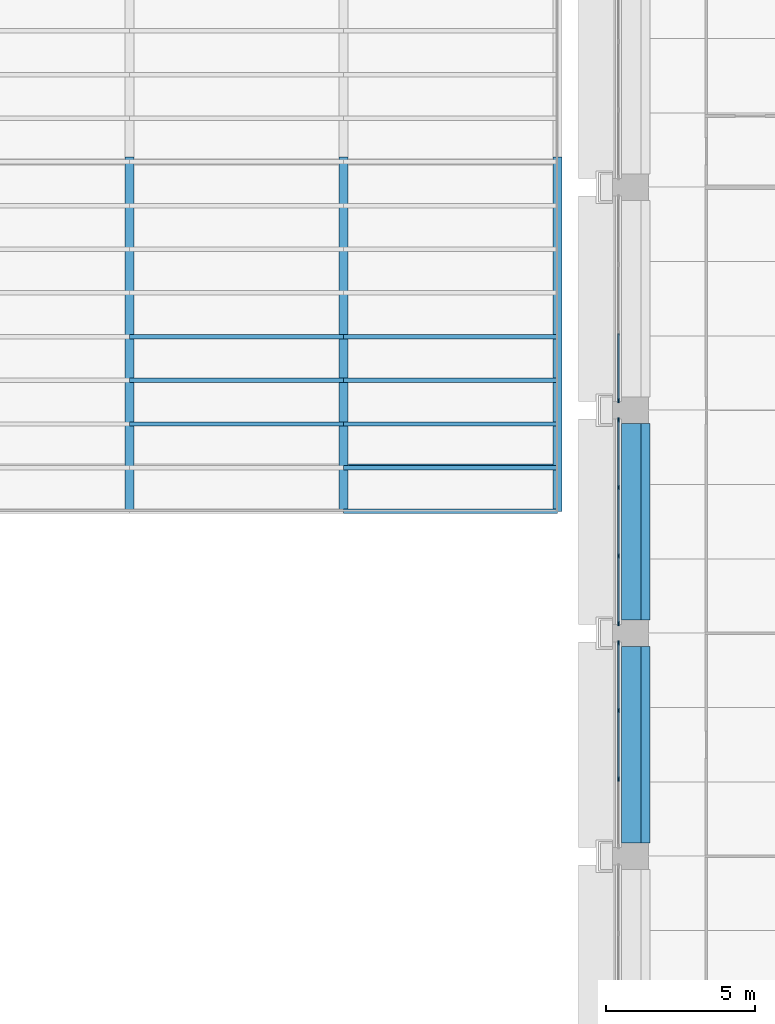
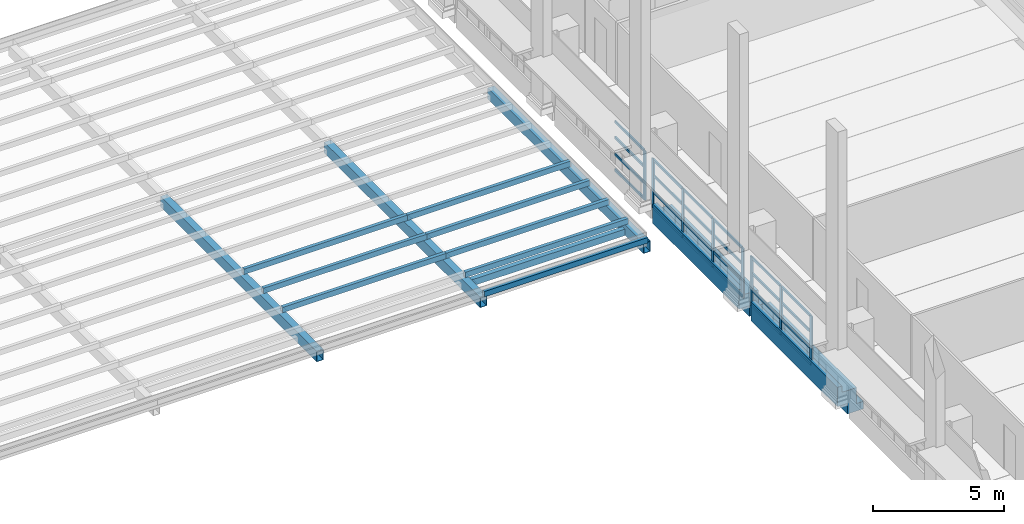
# One storey, part 23 of 67: 40 members, 6 beams, 3 elements without a shape of their own.
"""IFC4 building model written with IfcOpenShell, lengths in metres."""

from ifc_helpers import new_model, si_unit, direction, frame, origin, origin_2d, place, context, subcontext, project, spatial, polyline, rectangle, hollow_rectangle, outline, extrude, material, layer, layer_set, material_profile, profile_set, type_object, element, aggregate, save


model = new_model("IFC4")

# Units and contexts
model_context = context("Model", 3, precision=1e-05, world=origin(), true_north=direction((0.0, 1.0)))
body_context = subcontext(model_context, "Body", "Model", "MODEL_VIEW")
ifc_project = project(units=[si_unit("LENGTHUNIT", "METRE"), si_unit("AREAUNIT", "SQUARE_METRE"), si_unit("VOLUMEUNIT", "CUBIC_METRE"), si_unit("PLANEANGLEUNIT", "RADIAN"), si_unit("MASSUNIT", "GRAM", prefix="KILO")], contexts=[model_context])

# Site, building, storey
site_placement = place(None, origin())
site = spatial("IfcSite", under=ifc_project, at=site_placement, CompositionType="ELEMENT")
building_placement = place(site_placement, origin())
building = spatial("IfcBuilding", under=site, at=building_placement, Name="Cour d'Honneur Mobility Palace", CompositionType="ELEMENT")
storey_placement = place(building_placement, frame((0.0, 0.0, 4.5)))
storey = spatial("IfcBuildingStorey", under=building, at=storey_placement, Name="L01", CompositionType="ELEMENT", Elevation=4.5)

# Beams
ifc_material_1 = material(Name="Steel S355", Category="steel")
ifc_material_profile_1 = material_profile(ifc_material_1, hollow_rectangle(XDim=0.300048828125, YDim=0.5, WallThickness=0.01611328125, at=origin_2d()), Name="RHS 500x300x16")
ifc_profile_set_1 = profile_set([ifc_material_profile_1], Name="Steel S355")
beam_type_1 = type_object("IfcBeamType", Name="Canopy main beam RHS 500x300x16", PredefinedType="BEAM", material=ifc_profile_set_1)
for number, where, z_axis, x_axis, name in (
    (1, (127.89990234375, 89.0, 0.75), (0.0, 1.0, 0.0), (-1.0, 0.0, 0.0), "Canopy main beam FCM-E4.1"),
    (2, (135.10009765625, 89.0, 0.75), (0.0, 1.0, 0.0), (-1.0, 0.0, 0.0), "Canopy main beam FCM-E5.1"),
    (3, (142.300048828125, 89.0, 0.75), (0.0, 1.0, 0.0), (-1.0, 0.0, 0.0), "Canopy main beam FCM-E6.1"),
):
    element("IfcBeam", number, at=place(storey_placement, frame(where, z_axis=z_axis, x_axis=x_axis)), inside=storey, type_object=beam_type_1, Name=name, PredefinedType="BEAM", context=body_context, shape_type="SweptSolid", body=[
        extrude(hollow_rectangle(XDim=0.300048828125, YDim=0.5, WallThickness=0.01611328125, at=origin_2d()), origin(), (0.0, 0.0, 1.0), 11.911865234375),
    ])

# Members
ifc_material_2 = material(Name="Steel S355", Category="steel")
ifc_material_profile_2 = material_profile(ifc_material_2, hollow_rectangle(XDim=0.14990234375, YDim=0.25, WallThickness=0.010009765625, at=origin_2d()), Name="RHS 250x150x10")
ifc_profile_set_2 = profile_set([ifc_material_profile_2], Name="Steel S355")
member_type_1 = type_object("IfcMemberType", Name="Canopy purlin RHS 250x150x10", PredefinedType="PURLIN", material=ifc_profile_set_2)
for number, where, z_axis, x_axis, name in (
    (4, (135.10009765625, 89.0, 1.125), (1.0, 0.0, 0.0), (0.0, 1.0, 0.0), "Canopy purlin FCP-E1.5"),
    (5, (135.10009765625, 90.46875, 1.125), (1.0, 0.0, 0.0), (0.0, 1.0, 0.0), "Canopy purlin FCP-E2.5"),
):
    element("IfcMember", number, at=place(storey_placement, frame(where, z_axis=z_axis, x_axis=x_axis)), inside=storey, type_object=member_type_1, Name=name, PredefinedType="PURLIN", context=body_context, shape_type="SweptSolid", body=[
        extrude(hollow_rectangle(XDim=0.14990234375, YDim=0.25, WallThickness=0.010009765625, at=origin_2d()), origin(), (0.0, 0.0, 1.0), 7.199951171875),
    ])
member_1_placement = place(storey_placement, frame((127.89990234375, 91.9375, 1.125), z_axis=(1.0, 0.0, 0.0), x_axis=(0.0, 1.0, 0.0)))
element("IfcMember", 6, at=member_1_placement, inside=storey, type_object=member_type_1, Name="Canopy purlin FCP-E3.4", PredefinedType="PURLIN", context=body_context, shape_type="SweptSolid", body=[
    extrude(hollow_rectangle(XDim=0.14990234375, YDim=0.25, WallThickness=0.010009765625, at=origin_2d()), origin(), (0.0, 0.0, 1.0), 7.2001953125),
])
member_2_placement = place(storey_placement, frame((135.10009765625, 91.9375, 1.125), z_axis=(1.0, 0.0, 0.0), x_axis=(0.0, 1.0, 0.0)))
element("IfcMember", 7, at=member_2_placement, inside=storey, type_object=member_type_1, Name="Canopy purlin FCP-E3.5", PredefinedType="PURLIN", context=body_context, shape_type="SweptSolid", body=[
    extrude(hollow_rectangle(XDim=0.14990234375, YDim=0.25, WallThickness=0.010009765625, at=origin_2d()), origin(), (0.0, 0.0, 1.0), 7.199951171875),
])
member_3_placement = place(storey_placement, frame((127.89990234375, 93.40625, 1.125), z_axis=(1.0, 0.0, 0.0), x_axis=(0.0, 1.0, 0.0)))
element("IfcMember", 8, at=member_3_placement, inside=storey, type_object=member_type_1, Name="Canopy purlin FCP-E4.4", PredefinedType="PURLIN", context=body_context, shape_type="SweptSolid", body=[
    extrude(hollow_rectangle(XDim=0.14990234375, YDim=0.25, WallThickness=0.010009765625, at=origin_2d()), origin(), (0.0, 0.0, 1.0), 7.2001953125),
])
member_4_placement = place(storey_placement, frame((135.10009765625, 93.40625, 1.125), z_axis=(1.0, 0.0, 0.0), x_axis=(0.0, 1.0, 0.0)))
element("IfcMember", 9, at=member_4_placement, inside=storey, type_object=member_type_1, Name="Canopy purlin FCP-E4.5", PredefinedType="PURLIN", context=body_context, shape_type="SweptSolid", body=[
    extrude(hollow_rectangle(XDim=0.14990234375, YDim=0.25, WallThickness=0.010009765625, at=origin_2d()), origin(), (0.0, 0.0, 1.0), 7.199951171875),
])
member_5_placement = place(storey_placement, frame((127.89990234375, 94.875, 1.125), z_axis=(1.0, 0.0, 0.0), x_axis=(0.0, 1.0, 0.0)))
element("IfcMember", 10, at=member_5_placement, inside=storey, type_object=member_type_1, Name="Canopy purlin FCP-E5.4", PredefinedType="PURLIN", context=body_context, shape_type="SweptSolid", body=[
    extrude(hollow_rectangle(XDim=0.14990234375, YDim=0.25, WallThickness=0.010009765625, at=origin_2d()), origin(), (0.0, 0.0, 1.0), 7.2001953125),
])
member_6_placement = place(storey_placement, frame((135.10009765625, 94.875, 1.125), z_axis=(1.0, 0.0, 0.0), x_axis=(0.0, 1.0, 0.0)))
element("IfcMember", 11, at=member_6_placement, inside=storey, type_object=member_type_1, Name="Canopy purlin FCP-E5.5", PredefinedType="PURLIN", context=body_context, shape_type="SweptSolid", body=[
    extrude(hollow_rectangle(XDim=0.14990234375, YDim=0.25, WallThickness=0.010009765625, at=origin_2d()), origin(), (0.0, 0.0, 1.0), 7.199951171875),
])

# Beam
ifc_material_3 = material(Name="Steel S355", Category="steel")
ifc_material_profile_3 = material_profile(ifc_material_3, hollow_rectangle(XDim=0.199951171875, YDim=0.300048828125, WallThickness=0.012451171875, at=origin_2d()), Name="RHS 300x200x12.5")
ifc_profile_set_3 = profile_set([ifc_material_profile_3], Name="Steel S355")
beam_type_2 = type_object("IfcBeamType", Name="Canopy tie beam RHS 300x200x12.5", PredefinedType="BEAM", material=ifc_profile_set_3)
beam_placement = place(storey_placement, frame((135.261962890625, 90.5, 0.64990234375), z_axis=(1.0, 0.0, 0.0), x_axis=(0.0, 1.0, 0.0)))
element("IfcBeam", 12, at=beam_placement, inside=storey, type_object=beam_type_2, Name="Canopy tie beam FCT-E1.5", PredefinedType="BEAM", context=body_context, shape_type="SweptSolid", body=[
    extrude(hollow_rectangle(XDim=0.199951171875, YDim=0.300048828125, WallThickness=0.012451171875, at=origin_2d()), origin(), (0.0, 0.0, 1.0), 6.8759765625),
])

# Curtain wall, member
ifc_material_4 = material(Name="Aluminium and glass", Category="aluminium")
ifc_layer = layer(ifc_material_4, 0.10009765625)
ifc_layer_set = layer_set([ifc_layer], Name="Aluminium and glass")
curtain_wall_type = type_object("IfcCurtainWallType", Name="Curtain wall run", PredefinedType="NOTDEFINED", material=ifc_layer_set)
curtain_wall_1_placement = place(storey_placement, origin())
curtain_wall_1 = element("IfcCurtainWall", 13, at=curtain_wall_1_placement, inside=storey, type_object=curtain_wall_type, Name="Curtain wall CW-46", PredefinedType="NOTDEFINED")
ifc_material_5 = material(Name="Aluminium", Category="aluminium")
ifc_material_profile_4 = material_profile(ifc_material_5, rectangle(XDim=0.06005859375, YDim=0.159912109375, at=origin_2d()), Name="Curtain wall mullion")
ifc_profile_set_4 = profile_set([ifc_material_profile_4], Name="Aluminium")
member_type_2 = type_object("IfcMemberType", Name="Curtain wall mullion", PredefinedType="MULLION", material=ifc_profile_set_4)
member_7_placement = place(storey_placement, frame((144.35009765625, 92.72998046875, 0.0), z_axis=(0.0, 0.0, 1.0), x_axis=(1.0, 0.0, 0.0)))
member_7 = element("IfcMember", 14, at=member_7_placement, type_object=member_type_2, Name="CW-46 mullion 4", PredefinedType="MULLION", context=body_context, shape_type="SweptSolid", body=[
    extrude(rectangle(XDim=0.06005859375, YDim=0.159912109375, at=origin_2d()), origin(), (0.0, 0.0, 1.0), 2.300048828125),
])

# Curtain wall, members
curtain_wall_2_placement = place(storey_placement, origin())
curtain_wall_2 = element("IfcCurtainWall", 15, at=curtain_wall_2_placement, inside=storey, type_object=curtain_wall_type, Name="Curtain wall CW-47", PredefinedType="NOTDEFINED")
member_8_placement = place(storey_placement, frame((144.35009765625, 92.070068359375, 0.0), z_axis=(0.0, 0.0, 1.0), x_axis=(1.0, 0.0, 0.0)))
member_8 = element("IfcMember", 16, at=member_8_placement, type_object=member_type_2, Name="CW-47 mullion 1", PredefinedType="MULLION", context=body_context, shape_type="SweptSolid", body=[
    extrude(rectangle(XDim=0.06005859375, YDim=0.159912109375, at=origin_2d()), origin(), (0.0, 0.0, 1.0), 2.300048828125),
])
member_9_placement = place(storey_placement, frame((144.35009765625, 89.800048828125, 0.0), z_axis=(0.0, 0.0, 1.0), x_axis=(1.0, 0.0, 0.0)))
member_9 = element("IfcMember", 17, at=member_9_placement, type_object=member_type_2, Name="CW-47 mullion 2", PredefinedType="MULLION", context=body_context, shape_type="SweptSolid", body=[
    extrude(rectangle(XDim=0.06005859375, YDim=0.159912109375, at=origin_2d()), origin(), (0.0, 0.0, 1.0), 2.300048828125),
])
member_10_placement = place(storey_placement, frame((144.35009765625, 87.5, 0.0), z_axis=(0.0, 0.0, 1.0), x_axis=(1.0, 0.0, 0.0)))
member_10 = element("IfcMember", 18, at=member_10_placement, type_object=member_type_2, Name="CW-47 mullion 3", PredefinedType="MULLION", context=body_context, shape_type="SweptSolid", body=[
    extrude(rectangle(XDim=0.06005859375, YDim=0.159912109375, at=origin_2d()), origin(), (0.0, 0.0, 1.0), 2.300048828125),
])
member_11_placement = place(storey_placement, frame((144.35009765625, 85.22998046875, 0.0), z_axis=(0.0, 0.0, 1.0), x_axis=(1.0, 0.0, 0.0)))
member_11 = element("IfcMember", 19, at=member_11_placement, type_object=member_type_2, Name="CW-47 mullion 4", PredefinedType="MULLION", context=body_context, shape_type="SweptSolid", body=[
    extrude(rectangle(XDim=0.06005859375, YDim=0.159912109375, at=origin_2d()), origin(), (0.0, 0.0, 1.0), 2.300048828125),
])

curtain_wall_3_placement = place(storey_placement, origin())
curtain_wall_3 = element("IfcCurtainWall", 20, at=curtain_wall_3_placement, inside=storey, type_object=curtain_wall_type, Name="Curtain wall CW-48", PredefinedType="NOTDEFINED")
member_12_placement = place(storey_placement, frame((144.35009765625, 84.570068359375, 0.0), z_axis=(0.0, 0.0, 1.0), x_axis=(1.0, 0.0, 0.0)))
member_12 = element("IfcMember", 21, at=member_12_placement, type_object=member_type_2, Name="CW-48 mullion 1", PredefinedType="MULLION", context=body_context, shape_type="SweptSolid", body=[
    extrude(rectangle(XDim=0.06005859375, YDim=0.159912109375, at=origin_2d()), origin(), (0.0, 0.0, 1.0), 2.300048828125),
])
member_13_placement = place(storey_placement, frame((144.35009765625, 82.300048828125, 0.0), z_axis=(0.0, 0.0, 1.0), x_axis=(1.0, 0.0, 0.0)))
member_13 = element("IfcMember", 22, at=member_13_placement, type_object=member_type_2, Name="CW-48 mullion 2", PredefinedType="MULLION", context=body_context, shape_type="SweptSolid", body=[
    extrude(rectangle(XDim=0.06005859375, YDim=0.159912109375, at=origin_2d()), origin(), (0.0, 0.0, 1.0), 2.300048828125),
])
member_14_placement = place(storey_placement, frame((144.35009765625, 80.0, 0.0), z_axis=(0.0, 0.0, 1.0), x_axis=(1.0, 0.0, 0.0)))
member_14 = element("IfcMember", 23, at=member_14_placement, type_object=member_type_2, Name="CW-48 mullion 3", PredefinedType="MULLION", context=body_context, shape_type="SweptSolid", body=[
    extrude(rectangle(XDim=0.06005859375, YDim=0.159912109375, at=origin_2d()), origin(), (0.0, 0.0, 1.0), 2.300048828125),
])

# Member
ifc_material_6 = material(Name="Aluminium", Category="aluminium")
ifc_material_profile_5 = material_profile(ifc_material_6, rectangle(XDim=0.06005859375, YDim=0.1201171875, at=origin_2d()), Name="Curtain wall transom")
ifc_profile_set_5 = profile_set([ifc_material_profile_5], Name="Aluminium")
member_type_3 = type_object("IfcMemberType", Name="Curtain wall transom", PredefinedType="USERDEFINED", material=ifc_profile_set_5)
member_15_placement = place(storey_placement, frame((144.35009765625, 94.969970703125, 0.030029296875), z_axis=(0.0, -1.0, 0.0), x_axis=(1.0, 0.0, 0.0)))
member_15 = element("IfcMember", 24, at=member_15_placement, type_object=member_type_3, Name="CW-46 transom 3.1", ObjectType="TRANSOM", PredefinedType="USERDEFINED", context=body_context, shape_type="SweptSolid", body=[
    extrude(rectangle(XDim=0.06005859375, YDim=0.1201171875, at=origin_2d()), origin(), (0.0, 0.0, 1.0), 2.2099609375),
])

member_16_placement = place(storey_placement, frame((144.35009765625, 94.969970703125, 0.7666015625), z_axis=(0.0, -1.0, 0.0), x_axis=(1.0, 0.0, 0.0)))
member_16 = element("IfcMember", 25, at=member_16_placement, type_object=member_type_3, Name="CW-46 transom 3.2", ObjectType="TRANSOM", PredefinedType="USERDEFINED", context=body_context, shape_type="SweptSolid", body=[
    extrude(rectangle(XDim=0.06005859375, YDim=0.1201171875, at=origin_2d()), origin(), (0.0, 0.0, 1.0), 2.2099609375),
])

member_17_placement = place(storey_placement, frame((144.35009765625, 94.969970703125, 1.533447265625), z_axis=(0.0, -1.0, 0.0), x_axis=(1.0, 0.0, 0.0)))
member_17 = element("IfcMember", 26, at=member_17_placement, type_object=member_type_3, Name="CW-46 transom 3.3", ObjectType="TRANSOM", PredefinedType="USERDEFINED", context=body_context, shape_type="SweptSolid", body=[
    extrude(rectangle(XDim=0.06005859375, YDim=0.1201171875, at=origin_2d()), origin(), (0.0, 0.0, 1.0), 2.2099609375),
])

member_18_placement = place(storey_placement, frame((144.35009765625, 94.969970703125, 2.27001953125), z_axis=(0.0, -1.0, 0.0), x_axis=(1.0, 0.0, 0.0)))
member_18 = element("IfcMember", 27, at=member_18_placement, type_object=member_type_3, Name="CW-46 transom 3.4", ObjectType="TRANSOM", PredefinedType="USERDEFINED", context=body_context, shape_type="SweptSolid", body=[
    extrude(rectangle(XDim=0.06005859375, YDim=0.1201171875, at=origin_2d()), origin(), (0.0, 0.0, 1.0), 2.2099609375),
])

aggregate(curtain_wall_1, [member_7, member_15, member_16, member_17, member_18])

member_19_placement = place(storey_placement, frame((144.35009765625, 92.0400390625, 0.030029296875), z_axis=(0.0, -1.0, 0.0), x_axis=(1.0, 0.0, 0.0)))
member_19 = element("IfcMember", 28, at=member_19_placement, type_object=member_type_3, Name="CW-47 transom 1.1", ObjectType="TRANSOM", PredefinedType="USERDEFINED", context=body_context, shape_type="SweptSolid", body=[
    extrude(rectangle(XDim=0.06005859375, YDim=0.1201171875, at=origin_2d()), origin(), (0.0, 0.0, 1.0), 2.2099609375),
])

member_20_placement = place(storey_placement, frame((144.35009765625, 92.0400390625, 0.7666015625), z_axis=(0.0, -1.0, 0.0), x_axis=(1.0, 0.0, 0.0)))
member_20 = element("IfcMember", 29, at=member_20_placement, type_object=member_type_3, Name="CW-47 transom 1.2", ObjectType="TRANSOM", PredefinedType="USERDEFINED", context=body_context, shape_type="SweptSolid", body=[
    extrude(rectangle(XDim=0.06005859375, YDim=0.1201171875, at=origin_2d()), origin(), (0.0, 0.0, 1.0), 2.2099609375),
])

member_21_placement = place(storey_placement, frame((144.35009765625, 92.0400390625, 1.533447265625), z_axis=(0.0, -1.0, 0.0), x_axis=(1.0, 0.0, 0.0)))
member_21 = element("IfcMember", 30, at=member_21_placement, type_object=member_type_3, Name="CW-47 transom 1.3", ObjectType="TRANSOM", PredefinedType="USERDEFINED", context=body_context, shape_type="SweptSolid", body=[
    extrude(rectangle(XDim=0.06005859375, YDim=0.1201171875, at=origin_2d()), origin(), (0.0, 0.0, 1.0), 2.2099609375),
])

member_22_placement = place(storey_placement, frame((144.35009765625, 92.0400390625, 2.27001953125), z_axis=(0.0, -1.0, 0.0), x_axis=(1.0, 0.0, 0.0)))
member_22 = element("IfcMember", 31, at=member_22_placement, type_object=member_type_3, Name="CW-47 transom 1.4", ObjectType="TRANSOM", PredefinedType="USERDEFINED", context=body_context, shape_type="SweptSolid", body=[
    extrude(rectangle(XDim=0.06005859375, YDim=0.1201171875, at=origin_2d()), origin(), (0.0, 0.0, 1.0), 2.2099609375),
])

member_23_placement = place(storey_placement, frame((144.35009765625, 89.77001953125, 0.030029296875), z_axis=(0.0, -1.0, 0.0), x_axis=(1.0, 0.0, 0.0)))
member_23 = element("IfcMember", 32, at=member_23_placement, type_object=member_type_3, Name="CW-47 transom 2.1", ObjectType="TRANSOM", PredefinedType="USERDEFINED", context=body_context, shape_type="SweptSolid", body=[
    extrude(rectangle(XDim=0.06005859375, YDim=0.1201171875, at=origin_2d()), origin(), (0.0, 0.0, 1.0), 2.239990234375),
])

member_24_placement = place(storey_placement, frame((144.35009765625, 89.77001953125, 0.7666015625), z_axis=(0.0, -1.0, 0.0), x_axis=(1.0, 0.0, 0.0)))
member_24 = element("IfcMember", 33, at=member_24_placement, type_object=member_type_3, Name="CW-47 transom 2.2", ObjectType="TRANSOM", PredefinedType="USERDEFINED", context=body_context, shape_type="SweptSolid", body=[
    extrude(rectangle(XDim=0.06005859375, YDim=0.1201171875, at=origin_2d()), origin(), (0.0, 0.0, 1.0), 2.239990234375),
])

member_25_placement = place(storey_placement, frame((144.35009765625, 89.77001953125, 1.533447265625), z_axis=(0.0, -1.0, 0.0), x_axis=(1.0, 0.0, 0.0)))
member_25 = element("IfcMember", 34, at=member_25_placement, type_object=member_type_3, Name="CW-47 transom 2.3", ObjectType="TRANSOM", PredefinedType="USERDEFINED", context=body_context, shape_type="SweptSolid", body=[
    extrude(rectangle(XDim=0.06005859375, YDim=0.1201171875, at=origin_2d()), origin(), (0.0, 0.0, 1.0), 2.239990234375),
])

member_26_placement = place(storey_placement, frame((144.35009765625, 89.77001953125, 2.27001953125), z_axis=(0.0, -1.0, 0.0), x_axis=(1.0, 0.0, 0.0)))
member_26 = element("IfcMember", 35, at=member_26_placement, type_object=member_type_3, Name="CW-47 transom 2.4", ObjectType="TRANSOM", PredefinedType="USERDEFINED", context=body_context, shape_type="SweptSolid", body=[
    extrude(rectangle(XDim=0.06005859375, YDim=0.1201171875, at=origin_2d()), origin(), (0.0, 0.0, 1.0), 2.239990234375),
])

member_27_placement = place(storey_placement, frame((144.35009765625, 87.469970703125, 0.030029296875), z_axis=(0.0, -1.0, 0.0), x_axis=(1.0, 0.0, 0.0)))
member_27 = element("IfcMember", 36, at=member_27_placement, type_object=member_type_3, Name="CW-47 transom 3.1", ObjectType="TRANSOM", PredefinedType="USERDEFINED", context=body_context, shape_type="SweptSolid", body=[
    extrude(rectangle(XDim=0.06005859375, YDim=0.1201171875, at=origin_2d()), origin(), (0.0, 0.0, 1.0), 2.2099609375),
])

member_28_placement = place(storey_placement, frame((144.35009765625, 87.469970703125, 0.7666015625), z_axis=(0.0, -1.0, 0.0), x_axis=(1.0, 0.0, 0.0)))
member_28 = element("IfcMember", 37, at=member_28_placement, type_object=member_type_3, Name="CW-47 transom 3.2", ObjectType="TRANSOM", PredefinedType="USERDEFINED", context=body_context, shape_type="SweptSolid", body=[
    extrude(rectangle(XDim=0.06005859375, YDim=0.1201171875, at=origin_2d()), origin(), (0.0, 0.0, 1.0), 2.2099609375),
])

member_29_placement = place(storey_placement, frame((144.35009765625, 87.469970703125, 1.533447265625), z_axis=(0.0, -1.0, 0.0), x_axis=(1.0, 0.0, 0.0)))
member_29 = element("IfcMember", 38, at=member_29_placement, type_object=member_type_3, Name="CW-47 transom 3.3", ObjectType="TRANSOM", PredefinedType="USERDEFINED", context=body_context, shape_type="SweptSolid", body=[
    extrude(rectangle(XDim=0.06005859375, YDim=0.1201171875, at=origin_2d()), origin(), (0.0, 0.0, 1.0), 2.2099609375),
])

member_30_placement = place(storey_placement, frame((144.35009765625, 87.469970703125, 2.27001953125), z_axis=(0.0, -1.0, 0.0), x_axis=(1.0, 0.0, 0.0)))
member_30 = element("IfcMember", 39, at=member_30_placement, type_object=member_type_3, Name="CW-47 transom 3.4", ObjectType="TRANSOM", PredefinedType="USERDEFINED", context=body_context, shape_type="SweptSolid", body=[
    extrude(rectangle(XDim=0.06005859375, YDim=0.1201171875, at=origin_2d()), origin(), (0.0, 0.0, 1.0), 2.2099609375),
])

aggregate(curtain_wall_2, [member_8, member_9, member_10, member_11, member_19, member_20, member_21, member_22, member_23, member_24, member_25, member_26, member_27, member_28, member_29, member_30])

member_31_placement = place(storey_placement, frame((144.35009765625, 84.5400390625, 0.030029296875), z_axis=(0.0, -1.0, 0.0), x_axis=(1.0, 0.0, 0.0)))
member_31 = element("IfcMember", 40, at=member_31_placement, type_object=member_type_3, Name="CW-48 transom 1.1", ObjectType="TRANSOM", PredefinedType="USERDEFINED", context=body_context, shape_type="SweptSolid", body=[
    extrude(rectangle(XDim=0.06005859375, YDim=0.1201171875, at=origin_2d()), origin(), (0.0, 0.0, 1.0), 2.2099609375),
])

member_32_placement = place(storey_placement, frame((144.35009765625, 84.5400390625, 0.7666015625), z_axis=(0.0, -1.0, 0.0), x_axis=(1.0, 0.0, 0.0)))
member_32 = element("IfcMember", 41, at=member_32_placement, type_object=member_type_3, Name="CW-48 transom 1.2", ObjectType="TRANSOM", PredefinedType="USERDEFINED", context=body_context, shape_type="SweptSolid", body=[
    extrude(rectangle(XDim=0.06005859375, YDim=0.1201171875, at=origin_2d()), origin(), (0.0, 0.0, 1.0), 2.2099609375),
])

member_33_placement = place(storey_placement, frame((144.35009765625, 84.5400390625, 1.533447265625), z_axis=(0.0, -1.0, 0.0), x_axis=(1.0, 0.0, 0.0)))
member_33 = element("IfcMember", 42, at=member_33_placement, type_object=member_type_3, Name="CW-48 transom 1.3", ObjectType="TRANSOM", PredefinedType="USERDEFINED", context=body_context, shape_type="SweptSolid", body=[
    extrude(rectangle(XDim=0.06005859375, YDim=0.1201171875, at=origin_2d()), origin(), (0.0, 0.0, 1.0), 2.2099609375),
])

member_34_placement = place(storey_placement, frame((144.35009765625, 84.5400390625, 2.27001953125), z_axis=(0.0, -1.0, 0.0), x_axis=(1.0, 0.0, 0.0)))
member_34 = element("IfcMember", 43, at=member_34_placement, type_object=member_type_3, Name="CW-48 transom 1.4", ObjectType="TRANSOM", PredefinedType="USERDEFINED", context=body_context, shape_type="SweptSolid", body=[
    extrude(rectangle(XDim=0.06005859375, YDim=0.1201171875, at=origin_2d()), origin(), (0.0, 0.0, 1.0), 2.2099609375),
])

member_35_placement = place(storey_placement, frame((144.35009765625, 82.27001953125, 0.030029296875), z_axis=(0.0, -1.0, 0.0), x_axis=(1.0, 0.0, 0.0)))
member_35 = element("IfcMember", 44, at=member_35_placement, type_object=member_type_3, Name="CW-48 transom 2.1", ObjectType="TRANSOM", PredefinedType="USERDEFINED", context=body_context, shape_type="SweptSolid", body=[
    extrude(rectangle(XDim=0.06005859375, YDim=0.1201171875, at=origin_2d()), origin(), (0.0, 0.0, 1.0), 2.239990234375),
])

member_36_placement = place(storey_placement, frame((144.35009765625, 82.27001953125, 0.7666015625), z_axis=(0.0, -1.0, 0.0), x_axis=(1.0, 0.0, 0.0)))
member_36 = element("IfcMember", 45, at=member_36_placement, type_object=member_type_3, Name="CW-48 transom 2.2", ObjectType="TRANSOM", PredefinedType="USERDEFINED", context=body_context, shape_type="SweptSolid", body=[
    extrude(rectangle(XDim=0.06005859375, YDim=0.1201171875, at=origin_2d()), origin(), (0.0, 0.0, 1.0), 2.239990234375),
])

member_37_placement = place(storey_placement, frame((144.35009765625, 82.27001953125, 1.533447265625), z_axis=(0.0, -1.0, 0.0), x_axis=(1.0, 0.0, 0.0)))
member_37 = element("IfcMember", 46, at=member_37_placement, type_object=member_type_3, Name="CW-48 transom 2.3", ObjectType="TRANSOM", PredefinedType="USERDEFINED", context=body_context, shape_type="SweptSolid", body=[
    extrude(rectangle(XDim=0.06005859375, YDim=0.1201171875, at=origin_2d()), origin(), (0.0, 0.0, 1.0), 2.239990234375),
])

member_38_placement = place(storey_placement, frame((144.35009765625, 82.27001953125, 2.27001953125), z_axis=(0.0, -1.0, 0.0), x_axis=(1.0, 0.0, 0.0)))
member_38 = element("IfcMember", 47, at=member_38_placement, type_object=member_type_3, Name="CW-48 transom 2.4", ObjectType="TRANSOM", PredefinedType="USERDEFINED", context=body_context, shape_type="SweptSolid", body=[
    extrude(rectangle(XDim=0.06005859375, YDim=0.1201171875, at=origin_2d()), origin(), (0.0, 0.0, 1.0), 2.239990234375),
])

aggregate(curtain_wall_3, [member_12, member_13, member_14, member_31, member_32, member_33, member_34, member_35, member_36, member_37, member_38])

# Beams
ifc_material_7 = material(Name="Concrete C45", Category="concrete")
ifc_material_profile_6 = material_profile(ifc_material_7, outline(polyline([(0.199951171875, -1.10009765625), (0.199951171875, -0.60009765625), (0.64990234375, -0.60009765625), (0.64990234375, 0.300048828125), (0.449951171875, 0.300048828125), (0.449951171875, 0.0), (0.199951171875, 0.0), (-0.199951171875, 0.0), (-0.199951171875, -0.75), (-0.5, -0.75), (-0.5, -1.10009765625), (0.199951171875, -1.10009765625)])), Name="Ledger Beam 400x1100 ledge right 350 facade left")
ifc_profile_set_6 = profile_set([ifc_material_profile_6], Name="Concrete C45")
beam_type_3 = type_object("IfcBeamType", Name="Ledger Beam 400x1100 ledge right 350 facade left", PredefinedType="BEAM", material=ifc_profile_set_6)
for number, where, z_axis, x_axis, name in (
    (48, (144.89990234375, 77.85009765625, 0.0), (0.0, 1.0, 0.0), (-1.0, 0.0, 0.0), "Precast beam B4 K-L L01"),
    (49, (144.89990234375, 85.35009765625, 0.0), (0.0, 1.0, 0.0), (-1.0, 0.0, 0.0), "Precast beam B4 L-M L01"),
):
    element("IfcBeam", number, at=place(storey_placement, frame(where, z_axis=z_axis, x_axis=x_axis)), inside=storey, type_object=beam_type_3, Name=name, PredefinedType="BEAM", context=body_context, shape_type="SweptSolid", body=[
        extrude(outline(polyline([(0.199951171875, -1.10009765625), (0.199951171875, -0.60009765625), (0.64990234375, -0.60009765625), (0.64990234375, 0.300048828125), (0.449951171875, 0.300048828125), (0.449951171875, 0.0), (0.199951171875, 0.0), (-0.199951171875, 0.0), (-0.199951171875, -0.75), (-0.5, -0.75), (-0.5, -1.10009765625), (0.199951171875, -1.10009765625)])), origin(), (0.0, 0.0, 1.0), 6.599853515625),
    ])

save(model, "model.ifc")
